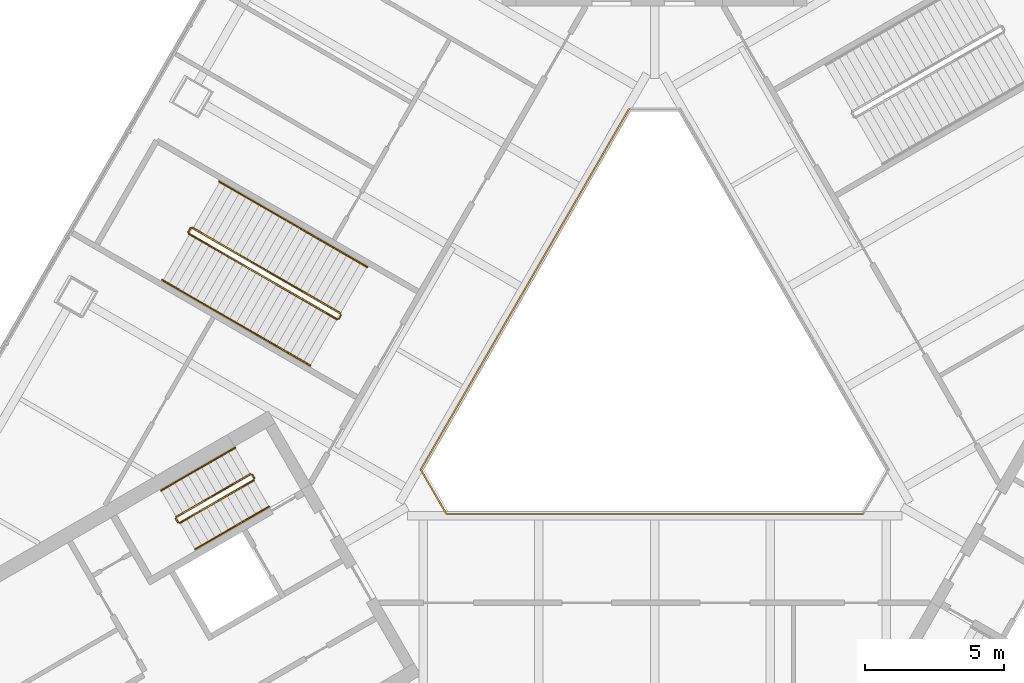
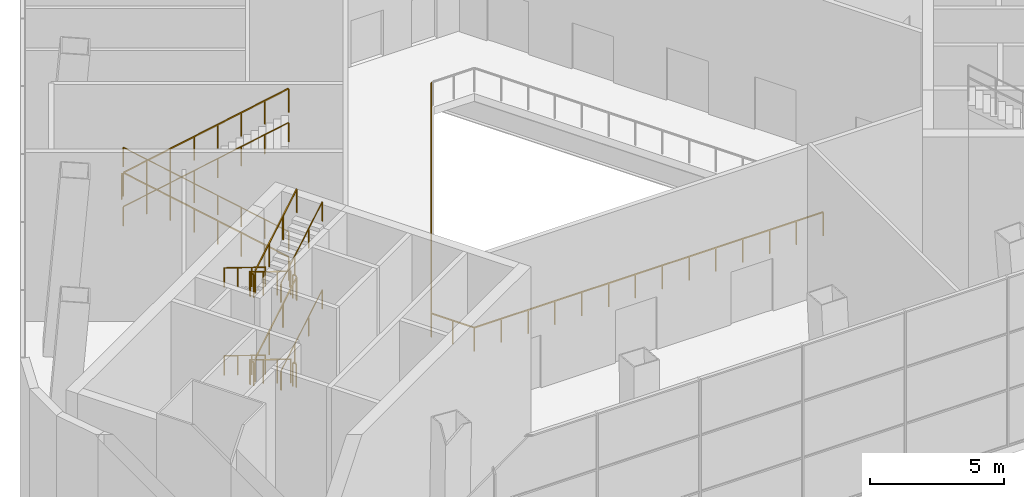
# One storey, part 14 of 16: 19 railings.
"""IFC4 building model written with IfcOpenShell, lengths in metres."""

from ifc_helpers import new_model, si_unit, direction, frame, origin, origin_2d, place, context, subcontext, project, spatial, rectangle, circle, extrude, material, type_object, element, save


model = new_model("IFC4")

# Units and contexts
model_context = context("Model", 3, precision=1e-05, world=origin(), true_north=direction((0.0, 1.0)))
body_context = subcontext(model_context, "Body", "Model", "MODEL_VIEW")
ifc_project = project(units=[si_unit("LENGTHUNIT", "METRE"), si_unit("AREAUNIT", "SQUARE_METRE"), si_unit("VOLUMEUNIT", "CUBIC_METRE"), si_unit("PLANEANGLEUNIT", "RADIAN"), si_unit("MASSUNIT", "GRAM", prefix="KILO")], contexts=[model_context])

# Site, building, storey
site_placement = place(None, origin())
site = spatial("IfcSite", under=ifc_project, at=site_placement, CompositionType="ELEMENT")
building_placement = place(site_placement, origin())
building = spatial("IfcBuilding", under=site, at=building_placement, Name="Apuvela Tower Hotel", CompositionType="ELEMENT")
storey_placement = place(building_placement, frame((0.0, 0.0, 15.5)))
storey = spatial("IfcBuildingStorey", under=building, at=storey_placement, Name="L02", CompositionType="ELEMENT", Elevation=15.5)

# Railings
ifc_material_1 = material(Name="Steel S275 balustrade", Category="steel")
railing_type_1 = type_object("IfcRailingType", Name="COR-GUARD-1100", PredefinedType="GUARDRAIL", material=ifc_material_1)
railing_1_placement = place(storey_placement, frame((-14.569091796875, -3.9658203125, 0.166748046875)))
element("IfcRailing", 1, at=railing_1_placement, inside=storey, type_object=railing_type_1, Name="L02 ST2 stair guard 1", PredefinedType="GUARDRAIL", context=body_context, shape_type="SweptSolid", body=[
    extrude(rectangle(XDim=0.048095703125, YDim=0.048095703125, at=origin_2d()), frame((0.0, 0.0, 1.076171875), z_axis=(-0.744159446956, -0.429671193721, 0.511477646425), x_axis=(0.500026652407, -0.866010015463, 0.0)), (0.0, 0.0, 1.0), 3.584228515625),
    extrude(rectangle(XDim=0.0419921875, YDim=0.0419921875, at=origin_2d()), origin(), (0.0, 0.0, 1.0), 1.052001953125),
    extrude(rectangle(XDim=0.0419921875, YDim=0.0419921875, at=origin_2d()), frame((-0.88916015625, -0.513427734375, 0.611083984375)), (0.0, 0.0, 1.0), 1.052001953125),
    extrude(rectangle(XDim=0.0419921875, YDim=0.0419921875, at=origin_2d()), frame((-1.778076171875, -1.026611328125, 1.22216796875)), (0.0, 0.0, 1.0), 1.052001953125),
    extrude(rectangle(XDim=0.0419921875, YDim=0.0419921875, at=origin_2d()), frame((-2.667236328125, -1.5400390625, 1.833251953125)), (0.0, 0.0, 1.0), 1.052001953125),
])
railing_2_placement = place(storey_placement, frame((-17.254638671875, -5.57421875, 2.0)))
element("IfcRailing", 2, at=railing_2_placement, inside=storey, type_object=railing_type_1, Name="L02 ST2 stair guard 2", PredefinedType="GUARDRAIL", context=body_context, shape_type="SweptSolid", body=[
    extrude(rectangle(XDim=0.048095703125, YDim=0.048095703125, at=origin_2d()), frame((0.0, 0.0, 1.076171875), z_axis=(0.499816412211, -0.866131372301, 0.0), x_axis=(0.866131372301, 0.499816412211, 0.0)), (0.0, 0.0, 1.0), 0.14990234375),
    extrude(rectangle(XDim=0.0419921875, YDim=0.0419921875, at=origin_2d()), origin(), (0.0, 0.0, 1.0), 1.052001953125),
    extrude(rectangle(XDim=0.0419921875, YDim=0.0419921875, at=origin_2d()), frame((0.074951171875, -0.1298828125, 0.0)), (0.0, 0.0, 1.0), 1.052001953125),
])
railing_3_placement = place(storey_placement, frame((-17.111328125, -5.722412109375, 2.166748046875)))
element("IfcRailing", 3, at=railing_3_placement, inside=storey, type_object=railing_type_1, Name="L02 ST2 stair guard 3", PredefinedType="GUARDRAIL", context=body_context, shape_type="SweptSolid", body=[
    extrude(rectangle(XDim=0.048095703125, YDim=0.048095703125, at=origin_2d()), frame((0.0, 0.0, 1.076171875), z_axis=(0.744159446956, 0.429671193721, 0.511477646425), x_axis=(-0.500026652407, 0.866010015463, 0.0)), (0.0, 0.0, 1.0), 3.584228515625),
    extrude(rectangle(XDim=0.0419921875, YDim=0.0419921875, at=origin_2d()), origin(), (0.0, 0.0, 1.0), 1.052001953125),
    extrude(rectangle(XDim=0.0419921875, YDim=0.0419921875, at=origin_2d()), frame((0.88916015625, 0.513427734375, 0.611083984375)), (0.0, 0.0, 1.0), 1.052001953125),
    extrude(rectangle(XDim=0.0419921875, YDim=0.0419921875, at=origin_2d()), frame((1.778076171875, 1.026611328125, 1.22216796875)), (0.0, 0.0, 1.0), 1.052001953125),
    extrude(rectangle(XDim=0.0419921875, YDim=0.0419921875, at=origin_2d()), frame((2.667236328125, 1.5400390625, 1.833251953125)), (0.0, 0.0, 1.0), 1.052001953125),
])
railing_4_placement = place(storey_placement, frame((-14.500732421875, -3.984130859375, 4.0)))
element("IfcRailing", 4, at=railing_4_placement, inside=storey, type_object=railing_type_1, Name="L02 ST2 stair guard 4", PredefinedType="GUARDRAIL", context=body_context, shape_type="SweptSolid", body=[
    extrude(rectangle(XDim=0.048095703125, YDim=0.048095703125, at=origin_2d()), frame((0.0, 0.0, 1.076171875), z_axis=(0.499816412211, -0.866131372301, 0.0), x_axis=(0.866131372301, 0.499816412211, 0.0)), (0.0, 0.0, 1.0), 0.14990234375),
    extrude(rectangle(XDim=0.0419921875, YDim=0.0419921875, at=origin_2d()), origin(), (0.0, 0.0, 1.0), 1.052001953125),
    extrude(rectangle(XDim=0.0419921875, YDim=0.0419921875, at=origin_2d()), frame((0.074951171875, -0.1298828125, 0.0)), (0.0, 0.0, 1.0), 1.052001953125),
])
railing_5_placement = place(storey_placement, frame((-14.569091796875, -3.9658203125, 4.166748046875)))
element("IfcRailing", 5, at=railing_5_placement, inside=storey, type_object=railing_type_1, Name="L02 ST2 stair guard 5", PredefinedType="GUARDRAIL", context=body_context, shape_type="SweptSolid", body=[
    extrude(rectangle(XDim=0.048095703125, YDim=0.048095703125, at=origin_2d()), frame((0.0, 0.0, 1.076171875), z_axis=(-0.744159446956, -0.429671193721, 0.511477646425), x_axis=(0.500026652407, -0.866010015463, 0.0)), (0.0, 0.0, 1.0), 3.584228515625),
    extrude(rectangle(XDim=0.0419921875, YDim=0.0419921875, at=origin_2d()), origin(), (0.0, 0.0, 1.0), 1.052001953125),
    extrude(rectangle(XDim=0.0419921875, YDim=0.0419921875, at=origin_2d()), frame((-0.88916015625, -0.513427734375, 0.611083984375)), (0.0, 0.0, 1.0), 1.052001953125),
    extrude(rectangle(XDim=0.0419921875, YDim=0.0419921875, at=origin_2d()), frame((-1.778076171875, -1.026611328125, 1.22216796875)), (0.0, 0.0, 1.0), 1.052001953125),
    extrude(rectangle(XDim=0.0419921875, YDim=0.0419921875, at=origin_2d()), frame((-2.667236328125, -1.5400390625, 1.833251953125)), (0.0, 0.0, 1.0), 1.052001953125),
])
railing_6_placement = place(storey_placement, frame((-17.254638671875, -5.57421875, 6.0)))
element("IfcRailing", 6, at=railing_6_placement, inside=storey, type_object=railing_type_1, Name="L02 ST2 stair guard 6", PredefinedType="GUARDRAIL", context=body_context, shape_type="SweptSolid", body=[
    extrude(rectangle(XDim=0.048095703125, YDim=0.048095703125, at=origin_2d()), frame((0.0, 0.0, 1.076171875), z_axis=(0.499816412211, -0.866131372301, 0.0), x_axis=(0.866131372301, 0.499816412211, 0.0)), (0.0, 0.0, 1.0), 0.14990234375),
    extrude(rectangle(XDim=0.0419921875, YDim=0.0419921875, at=origin_2d()), origin(), (0.0, 0.0, 1.0), 1.052001953125),
    extrude(rectangle(XDim=0.0419921875, YDim=0.0419921875, at=origin_2d()), frame((0.074951171875, -0.1298828125, 0.0)), (0.0, 0.0, 1.0), 1.052001953125),
])
railing_7_placement = place(storey_placement, frame((-17.111328125, -5.722412109375, 6.166748046875)))
element("IfcRailing", 7, at=railing_7_placement, inside=storey, type_object=railing_type_1, Name="L02 ST2 stair guard 7", PredefinedType="GUARDRAIL", context=body_context, shape_type="SweptSolid", body=[
    extrude(rectangle(XDim=0.048095703125, YDim=0.048095703125, at=origin_2d()), frame((0.0, 0.0, 1.076171875), z_axis=(0.744159446956, 0.429671193721, 0.511477646425), x_axis=(-0.500026652407, 0.866010015463, 0.0)), (0.0, 0.0, 1.0), 3.584228515625),
    extrude(rectangle(XDim=0.0419921875, YDim=0.0419921875, at=origin_2d()), origin(), (0.0, 0.0, 1.0), 1.052001953125),
    extrude(rectangle(XDim=0.0419921875, YDim=0.0419921875, at=origin_2d()), frame((0.88916015625, 0.513427734375, 0.611083984375)), (0.0, 0.0, 1.0), 1.052001953125),
    extrude(rectangle(XDim=0.0419921875, YDim=0.0419921875, at=origin_2d()), frame((1.778076171875, 1.026611328125, 1.22216796875)), (0.0, 0.0, 1.0), 1.052001953125),
    extrude(rectangle(XDim=0.0419921875, YDim=0.0419921875, at=origin_2d()), frame((2.667236328125, 1.5400390625, 1.833251953125)), (0.0, 0.0, 1.0), 1.052001953125),
])
railing_8_placement = place(storey_placement, frame((-14.500732421875, -3.984130859375, 0.0)))
element("IfcRailing", 8, at=railing_8_placement, inside=storey, type_object=railing_type_1, Name="L02 ST2 stair guard 8", PredefinedType="GUARDRAIL", context=body_context, shape_type="SweptSolid", body=[
    extrude(rectangle(XDim=0.048095703125, YDim=0.048095703125, at=origin_2d()), frame((0.0, 0.0, 1.076171875), z_axis=(0.499816412211, -0.866131372301, 0.0), x_axis=(0.866131372301, 0.499816412211, 0.0)), (0.0, 0.0, 1.0), 0.14990234375),
    extrude(rectangle(XDim=0.0419921875, YDim=0.0419921875, at=origin_2d()), origin(), (0.0, 0.0, 1.0), 1.052001953125),
    extrude(rectangle(XDim=0.0419921875, YDim=0.0419921875, at=origin_2d()), frame((0.074951171875, -0.1298828125, 0.0)), (0.0, 0.0, 1.0), 1.052001953125),
])
ifc_material_2 = material(Name="Stainless steel 316 handrail", Category="steel")
railing_type_2 = type_object("IfcRailingType", Name="COR-HANDRAIL-900", PredefinedType="HANDRAIL", material=ifc_material_2)
railing_9_placement = place(storey_placement, frame((-15.118896484375, -3.01318359375, 0.166748046875)))
element("IfcRailing", 9, at=railing_9_placement, inside=storey, type_object=railing_type_2, Name="L02 ST2 stair handrail 1", PredefinedType="HANDRAIL", context=body_context, shape_type="SweptSolid", body=[
    extrude(circle(Radius=0.02392578125, at=origin_2d()), frame((0.0, 0.0, 0.8759765625), z_axis=(-0.744189839504, -0.429649414936, 0.511451721109), x_axis=(0.499992328818, -0.866029832698, 0.0)), (0.0, 0.0, 1.0), 3.58447265625),
    extrude(rectangle(XDim=0.0419921875, YDim=0.0419921875, at=origin_2d()), origin(), (0.0, 0.0, 1.0), 0.851806640625),
    extrude(rectangle(XDim=0.0419921875, YDim=0.0419921875, at=origin_2d()), frame((-0.88916015625, -0.513427734375, 0.611083984375)), (0.0, 0.0, 1.0), 0.851806640625),
    extrude(rectangle(XDim=0.0419921875, YDim=0.0419921875, at=origin_2d()), frame((-1.7783203125, -1.026611328125, 1.22216796875)), (0.0, 0.0, 1.0), 0.851806640625),
    extrude(rectangle(XDim=0.0419921875, YDim=0.0419921875, at=origin_2d()), frame((-2.66748046875, -1.5400390625, 1.833251953125)), (0.0, 0.0, 1.0), 0.851806640625),
])
railing_10_placement = place(storey_placement, frame((-16.561279296875, -6.675048828125, 2.166748046875)))
element("IfcRailing", 10, at=railing_10_placement, inside=storey, type_object=railing_type_2, Name="L02 ST2 stair handrail 2", PredefinedType="HANDRAIL", context=body_context, shape_type="SweptSolid", body=[
    extrude(circle(Radius=0.02392578125, at=origin_2d()), frame((0.0, 0.0, 0.8759765625), z_axis=(0.744159446956, 0.429671193721, 0.511477646425), x_axis=(-0.500026652407, 0.866010015463, 0.0)), (0.0, 0.0, 1.0), 3.584228515625),
    extrude(rectangle(XDim=0.0419921875, YDim=0.0419921875, at=origin_2d()), origin(), (0.0, 0.0, 1.0), 0.851806640625),
    extrude(rectangle(XDim=0.0419921875, YDim=0.0419921875, at=origin_2d()), frame((0.88916015625, 0.513427734375, 0.611083984375)), (0.0, 0.0, 1.0), 0.851806640625),
    extrude(rectangle(XDim=0.0419921875, YDim=0.0419921875, at=origin_2d()), frame((1.778076171875, 1.026611328125, 1.22216796875)), (0.0, 0.0, 1.0), 0.851806640625),
    extrude(rectangle(XDim=0.0419921875, YDim=0.0419921875, at=origin_2d()), frame((2.667236328125, 1.5400390625, 1.833251953125)), (0.0, 0.0, 1.0), 0.851806640625),
])
railing_11_placement = place(storey_placement, frame((-15.118896484375, -3.01318359375, 4.166748046875)))
element("IfcRailing", 11, at=railing_11_placement, inside=storey, type_object=railing_type_2, Name="L02 ST2 stair handrail 3", PredefinedType="HANDRAIL", context=body_context, shape_type="SweptSolid", body=[
    extrude(circle(Radius=0.02392578125, at=origin_2d()), frame((0.0, 0.0, 0.8759765625), z_axis=(-0.744189839504, -0.429649414936, 0.511451721109), x_axis=(0.499992328818, -0.866029832698, 0.0)), (0.0, 0.0, 1.0), 3.58447265625),
    extrude(rectangle(XDim=0.0419921875, YDim=0.0419921875, at=origin_2d()), origin(), (0.0, 0.0, 1.0), 0.851806640625),
    extrude(rectangle(XDim=0.0419921875, YDim=0.0419921875, at=origin_2d()), frame((-0.88916015625, -0.513427734375, 0.611083984375)), (0.0, 0.0, 1.0), 0.851806640625),
    extrude(rectangle(XDim=0.0419921875, YDim=0.0419921875, at=origin_2d()), frame((-1.7783203125, -1.026611328125, 1.22216796875)), (0.0, 0.0, 1.0), 0.851806640625),
    extrude(rectangle(XDim=0.0419921875, YDim=0.0419921875, at=origin_2d()), frame((-2.66748046875, -1.5400390625, 1.833251953125)), (0.0, 0.0, 1.0), 0.851806640625),
])
railing_12_placement = place(storey_placement, frame((-16.561279296875, -6.675048828125, 6.166748046875)))
element("IfcRailing", 12, at=railing_12_placement, inside=storey, type_object=railing_type_2, Name="L02 ST2 stair handrail 4", PredefinedType="HANDRAIL", context=body_context, shape_type="SweptSolid", body=[
    extrude(circle(Radius=0.02392578125, at=origin_2d()), frame((0.0, 0.0, 0.8759765625), z_axis=(0.744159446956, 0.429671193721, 0.511477646425), x_axis=(-0.500026652407, 0.866010015463, 0.0)), (0.0, 0.0, 1.0), 3.584228515625),
    extrude(rectangle(XDim=0.0419921875, YDim=0.0419921875, at=origin_2d()), origin(), (0.0, 0.0, 1.0), 0.851806640625),
    extrude(rectangle(XDim=0.0419921875, YDim=0.0419921875, at=origin_2d()), frame((0.88916015625, 0.513427734375, 0.611083984375)), (0.0, 0.0, 1.0), 0.851806640625),
    extrude(rectangle(XDim=0.0419921875, YDim=0.0419921875, at=origin_2d()), frame((1.778076171875, 1.026611328125, 1.22216796875)), (0.0, 0.0, 1.0), 0.851806640625),
    extrude(rectangle(XDim=0.0419921875, YDim=0.0419921875, at=origin_2d()), frame((2.667236328125, 1.5400390625, 1.833251953125)), (0.0, 0.0, 1.0), 0.851806640625),
])
ifc_material_3 = material(Name="Stainless steel 316 rail with laminated glass infill", Category="steel")
railing_type_3 = type_object("IfcRailingType", Name="ENV-GUARD-1100", PredefinedType="GUARDRAIL", material=ifc_material_3)
railing_13_placement = place(storey_placement, frame((-0.923828125, 9.199951171875, 0.0)))
element("IfcRailing", 13, at=railing_13_placement, inside=storey, type_object=railing_type_3, Name="Atrium void guard A L02", PredefinedType="GUARDRAIL", context=body_context, shape_type="SweptSolid", body=[
    extrude(rectangle(XDim=0.050048828125, YDim=0.050048828125, at=origin_2d()), frame((0.0, 0.0, 1.0751953125), z_axis=(-0.499990886379, -0.866030665472, 0.0), x_axis=(0.866030665472, -0.499990886379, 0.0)), (0.0, 0.0, 1.0), 15.010986328125),
    extrude(rectangle(XDim=0.050048828125, YDim=0.050048828125, at=origin_2d()), frame((-7.50537109375, -13.0, 1.0751953125), z_axis=(0.499962699187, -0.866046938348, 0.0), x_axis=(0.866046938348, 0.499962699187, 0.0)), (0.0, 0.0, 1.0), 1.847412109375),
    extrude(rectangle(XDim=0.050048828125, YDim=0.050048828125, at=origin_2d()), frame((-6.581787109375, -14.599853515625, 1.0751953125), z_axis=(1.0, 0.0, 0.0), x_axis=(0.0, 1.0, 0.0)), (0.0, 0.0, 1.0), 15.01123046875),
    extrude(rectangle(XDim=0.0400390625, YDim=0.0400390625, at=origin_2d()), origin(), (0.0, 0.0, 1.0), 1.050048828125),
    extrude(rectangle(XDim=0.0400390625, YDim=0.0400390625, at=origin_2d()), frame((-0.577392578125, -1.0, 0.0)), (0.0, 0.0, 1.0), 1.050048828125),
    extrude(rectangle(XDim=0.0400390625, YDim=0.0400390625, at=origin_2d()), frame((-1.15478515625, -2.0, 0.0)), (0.0, 0.0, 1.0), 1.050048828125),
    extrude(rectangle(XDim=0.0400390625, YDim=0.0400390625, at=origin_2d()), frame((-1.73193359375, -3.0, 0.0)), (0.0, 0.0, 1.0), 1.050048828125),
    extrude(rectangle(XDim=0.0400390625, YDim=0.0400390625, at=origin_2d()), frame((-2.309326171875, -4.0, 0.0)), (0.0, 0.0, 1.0), 1.050048828125),
    extrude(rectangle(XDim=0.0400390625, YDim=0.0400390625, at=origin_2d()), frame((-2.88671875, -5.0, 0.0)), (0.0, 0.0, 1.0), 1.050048828125),
    extrude(rectangle(XDim=0.0400390625, YDim=0.0400390625, at=origin_2d()), frame((-3.464111328125, -6.0, 0.0)), (0.0, 0.0, 1.0), 1.050048828125),
    extrude(rectangle(XDim=0.0400390625, YDim=0.0400390625, at=origin_2d()), frame((-4.041259765625, -7.0, 0.0)), (0.0, 0.0, 1.0), 1.050048828125),
    extrude(rectangle(XDim=0.0400390625, YDim=0.0400390625, at=origin_2d()), frame((-4.61865234375, -8.0, 0.0)), (0.0, 0.0, 1.0), 1.050048828125),
    extrude(rectangle(XDim=0.0400390625, YDim=0.0400390625, at=origin_2d()), frame((-5.196044921875, -9.0, 0.0)), (0.0, 0.0, 1.0), 1.050048828125),
    extrude(rectangle(XDim=0.0400390625, YDim=0.0400390625, at=origin_2d()), frame((-5.7734375, -10.0, 0.0)), (0.0, 0.0, 1.0), 1.050048828125),
    extrude(rectangle(XDim=0.0400390625, YDim=0.0400390625, at=origin_2d()), frame((-6.3505859375, -11.0, 0.0)), (0.0, 0.0, 1.0), 1.050048828125),
    extrude(rectangle(XDim=0.0400390625, YDim=0.0400390625, at=origin_2d()), frame((-6.927978515625, -12.0, 0.0)), (0.0, 0.0, 1.0), 1.050048828125),
    extrude(rectangle(XDim=0.0400390625, YDim=0.0400390625, at=origin_2d()), frame((-7.50537109375, -13.0, 0.0)), (0.0, 0.0, 1.0), 1.050048828125),
    extrude(rectangle(XDim=0.0400390625, YDim=0.0400390625, at=origin_2d()), frame((-7.04345703125, -13.7998046875, 0.0)), (0.0, 0.0, 1.0), 1.050048828125),
    extrude(rectangle(XDim=0.0400390625, YDim=0.0400390625, at=origin_2d()), frame((-6.581787109375, -14.599853515625, 0.0)), (0.0, 0.0, 1.0), 1.050048828125),
    extrude(rectangle(XDim=0.0400390625, YDim=0.0400390625, at=origin_2d()), frame((-5.427001953125, -14.599853515625, 0.0)), (0.0, 0.0, 1.0), 1.050048828125),
    extrude(rectangle(XDim=0.0400390625, YDim=0.0400390625, at=origin_2d()), frame((-4.2724609375, -14.599853515625, 0.0)), (0.0, 0.0, 1.0), 1.050048828125),
    extrude(rectangle(XDim=0.0400390625, YDim=0.0400390625, at=origin_2d()), frame((-3.11767578125, -14.599853515625, 0.0)), (0.0, 0.0, 1.0), 1.050048828125),
    extrude(rectangle(XDim=0.0400390625, YDim=0.0400390625, at=origin_2d()), frame((-1.962890625, -14.599853515625, 0.0)), (0.0, 0.0, 1.0), 1.050048828125),
    extrude(rectangle(XDim=0.0400390625, YDim=0.0400390625, at=origin_2d()), frame((-0.808349609375, -14.599853515625, 0.0)), (0.0, 0.0, 1.0), 1.050048828125),
    extrude(rectangle(XDim=0.0400390625, YDim=0.0400390625, at=origin_2d()), frame((0.346435546875, -14.599853515625, 0.0)), (0.0, 0.0, 1.0), 1.050048828125),
    extrude(rectangle(XDim=0.0400390625, YDim=0.0400390625, at=origin_2d()), frame((1.501220703125, -14.599853515625, 0.0)), (0.0, 0.0, 1.0), 1.050048828125),
    extrude(rectangle(XDim=0.0400390625, YDim=0.0400390625, at=origin_2d()), frame((2.656005859375, -14.599853515625, 0.0)), (0.0, 0.0, 1.0), 1.050048828125),
    extrude(rectangle(XDim=0.0400390625, YDim=0.0400390625, at=origin_2d()), frame((3.810546875, -14.599853515625, 0.0)), (0.0, 0.0, 1.0), 1.050048828125),
    extrude(rectangle(XDim=0.0400390625, YDim=0.0400390625, at=origin_2d()), frame((4.96533203125, -14.599853515625, 0.0)), (0.0, 0.0, 1.0), 1.050048828125),
    extrude(rectangle(XDim=0.0400390625, YDim=0.0400390625, at=origin_2d()), frame((6.1201171875, -14.599853515625, 0.0)), (0.0, 0.0, 1.0), 1.050048828125),
    extrude(rectangle(XDim=0.0400390625, YDim=0.0400390625, at=origin_2d()), frame((7.274658203125, -14.599853515625, 0.0)), (0.0, 0.0, 1.0), 1.050048828125),
    extrude(rectangle(XDim=0.0400390625, YDim=0.0400390625, at=origin_2d()), frame((8.429443359375, -14.599853515625, 0.0)), (0.0, 0.0, 1.0), 1.050048828125),
])
ifc_material_4 = material(Name="Steel S355 guard with laminated glass infill", Category="steel")
railing_type_4 = type_object("IfcRailingType", Name="SPC-GUARD-1100", PredefinedType="GUARDRAIL", material=ifc_material_4)
railing_14_placement = place(storey_placement, frame((-11.32568359375, 1.83349609375, 0.173828125)))
element("IfcRailing", 14, at=railing_14_placement, inside=storey, type_object=railing_type_4, Name="L02 PS2 stair guard 1", PredefinedType="GUARDRAIL", context=body_context, shape_type="SweptSolid", body=[
    extrude(rectangle(XDim=0.048095703125, YDim=0.048095703125, at=origin_2d()), frame((0.0, 0.0, 1.076171875), z_axis=(-0.735671360837, 0.42471713958, 0.527639081371), x_axis=(-0.49997976489, -0.866037086216, 0.0)), (0.0, 0.0, 1.0), 7.25146484375),
    extrude(rectangle(XDim=0.0419921875, YDim=0.0419921875, at=origin_2d()), origin(), (0.0, 0.0, 1.0), 1.052001953125),
    extrude(rectangle(XDim=0.0419921875, YDim=0.0419921875, at=origin_2d()), frame((-0.76220703125, 0.43994140625, 0.546630859375)), (0.0, 0.0, 1.0), 1.052001953125),
    extrude(rectangle(XDim=0.0419921875, YDim=0.0419921875, at=origin_2d()), frame((-1.524169921875, 0.8798828125, 1.09326171875)), (0.0, 0.0, 1.0), 1.052001953125),
    extrude(rectangle(XDim=0.0419921875, YDim=0.0419921875, at=origin_2d()), frame((-2.286376953125, 1.31982421875, 1.639892578125)), (0.0, 0.0, 1.0), 1.052001953125),
    extrude(rectangle(XDim=0.0419921875, YDim=0.0419921875, at=origin_2d()), frame((-3.04833984375, 1.760009765625, 2.186279296875)), (0.0, 0.0, 1.0), 1.052001953125),
    extrude(rectangle(XDim=0.0419921875, YDim=0.0419921875, at=origin_2d()), frame((-3.810546875, 2.199951171875, 2.73291015625)), (0.0, 0.0, 1.0), 1.052001953125),
    extrude(rectangle(XDim=0.0419921875, YDim=0.0419921875, at=origin_2d()), frame((-4.572509765625, 2.639892578125, 3.279541015625)), (0.0, 0.0, 1.0), 1.052001953125),
    extrude(rectangle(XDim=0.0419921875, YDim=0.0419921875, at=origin_2d()), frame((-5.334716796875, 3.079833984375, 3.826171875)), (0.0, 0.0, 1.0), 1.052001953125),
])
railing_15_placement = place(storey_placement, frame((-16.728759765625, 4.895263671875, 4.0)))
element("IfcRailing", 15, at=railing_15_placement, inside=storey, type_object=railing_type_4, Name="L02 PS2 stair guard 2", PredefinedType="GUARDRAIL", context=body_context, shape_type="SweptSolid", body=[
    extrude(rectangle(XDim=0.048095703125, YDim=0.048095703125, at=origin_2d()), frame((0.0, 0.0, 1.076171875), z_axis=(-0.499112439033, -0.866537231285, 0.0), x_axis=(0.866537231285, -0.499112439033, 0.0)), (0.0, 0.0, 1.0), 0.150146484375),
    extrude(rectangle(XDim=0.0419921875, YDim=0.0419921875, at=origin_2d()), origin(), (0.0, 0.0, 1.0), 1.052001953125),
    extrude(rectangle(XDim=0.0419921875, YDim=0.0419921875, at=origin_2d()), frame((-0.074951171875, -0.130126953125, 0.0)), (0.0, 0.0, 1.0), 1.052001953125),
])
railing_16_placement = place(storey_placement, frame((-16.785400390625, 4.697021484375, 4.173828125)))
element("IfcRailing", 16, at=railing_16_placement, inside=storey, type_object=railing_type_4, Name="L02 PS2 stair guard 3", PredefinedType="GUARDRAIL", context=body_context, shape_type="SweptSolid", body=[
    extrude(rectangle(XDim=0.048095703125, YDim=0.048095703125, at=origin_2d()), frame((0.0, 0.0, 1.076171875), z_axis=(0.73566084112, -0.424744733494, 0.527631536407), x_axis=(0.500009490121, 0.866019924591, 0.0)), (0.0, 0.0, 1.0), 7.251708984375),
    extrude(rectangle(XDim=0.0419921875, YDim=0.0419921875, at=origin_2d()), origin(), (0.0, 0.0, 1.0), 1.052001953125),
    extrude(rectangle(XDim=0.0419921875, YDim=0.0419921875, at=origin_2d()), frame((0.76220703125, -0.43994140625, 0.546630859375)), (0.0, 0.0, 1.0), 1.052001953125),
    extrude(rectangle(XDim=0.0419921875, YDim=0.0419921875, at=origin_2d()), frame((1.524169921875, -0.880126953125, 1.09326171875)), (0.0, 0.0, 1.0), 1.052001953125),
    extrude(rectangle(XDim=0.0419921875, YDim=0.0419921875, at=origin_2d()), frame((2.286376953125, -1.320068359375, 1.639892578125)), (0.0, 0.0, 1.0), 1.052001953125),
    extrude(rectangle(XDim=0.0419921875, YDim=0.0419921875, at=origin_2d()), frame((3.04833984375, -1.760009765625, 2.186279296875)), (0.0, 0.0, 1.0), 1.052001953125),
    extrude(rectangle(XDim=0.0419921875, YDim=0.0419921875, at=origin_2d()), frame((3.810546875, -2.199951171875, 2.73291015625)), (0.0, 0.0, 1.0), 1.052001953125),
    extrude(rectangle(XDim=0.0419921875, YDim=0.0419921875, at=origin_2d()), frame((4.572509765625, -2.64013671875, 3.279541015625)), (0.0, 0.0, 1.0), 1.052001953125),
    extrude(rectangle(XDim=0.0419921875, YDim=0.0419921875, at=origin_2d()), frame((5.334716796875, -3.080078125, 3.826171875)), (0.0, 0.0, 1.0), 1.052001953125),
])
railing_17_placement = place(storey_placement, frame((-11.307373046875, 1.76513671875, 0.0)))
element("IfcRailing", 17, at=railing_17_placement, inside=storey, type_object=railing_type_4, Name="L02 PS2 stair guard 4", PredefinedType="GUARDRAIL", context=body_context, shape_type="SweptSolid", body=[
    extrude(rectangle(XDim=0.048095703125, YDim=0.048095703125, at=origin_2d()), frame((0.0, 0.0, 1.076171875), z_axis=(-0.499816412211, -0.866131372301, 0.0), x_axis=(0.866131372301, -0.499816412211, 0.0)), (0.0, 0.0, 1.0), 0.14990234375),
    extrude(rectangle(XDim=0.0419921875, YDim=0.0419921875, at=origin_2d()), origin(), (0.0, 0.0, 1.0), 1.052001953125),
    extrude(rectangle(XDim=0.0419921875, YDim=0.0419921875, at=origin_2d()), frame((-0.074951171875, -0.1298828125, 0.0)), (0.0, 0.0, 1.0), 1.052001953125),
])
ifc_material_5 = material(Name="Steel S355 tube handrail", Category="steel")
railing_type_5 = type_object("IfcRailingType", Name="SPC-HANDRAIL-900", PredefinedType="HANDRAIL", material=ifc_material_5)
railing_18_placement = place(storey_placement, frame((-10.363037109375, 3.50048828125, 0.173828125)))
element("IfcRailing", 18, at=railing_18_placement, inside=storey, type_object=railing_type_5, Name="L02 PS2 stair handrail 1", PredefinedType="HANDRAIL", context=body_context, shape_type="SweptSolid", body=[
    extrude(circle(Radius=0.02392578125, at=origin_2d()), frame((0.0, 0.0, 0.8759765625), z_axis=(-0.73566084112, 0.424744733494, 0.527631536407), x_axis=(-0.500009490121, -0.866019924591, 0.0)), (0.0, 0.0, 1.0), 7.251708984375),
    extrude(rectangle(XDim=0.0419921875, YDim=0.0419921875, at=origin_2d()), origin(), (0.0, 0.0, 1.0), 0.851806640625),
    extrude(rectangle(XDim=0.0419921875, YDim=0.0419921875, at=origin_2d()), frame((-0.76220703125, 0.43994140625, 0.546630859375)), (0.0, 0.0, 1.0), 0.851806640625),
    extrude(rectangle(XDim=0.0419921875, YDim=0.0419921875, at=origin_2d()), frame((-1.524169921875, 0.880126953125, 1.09326171875)), (0.0, 0.0, 1.0), 0.851806640625),
    extrude(rectangle(XDim=0.0419921875, YDim=0.0419921875, at=origin_2d()), frame((-2.286376953125, 1.320068359375, 1.639892578125)), (0.0, 0.0, 1.0), 0.851806640625),
    extrude(rectangle(XDim=0.0419921875, YDim=0.0419921875, at=origin_2d()), frame((-3.04833984375, 1.760009765625, 2.186279296875)), (0.0, 0.0, 1.0), 0.851806640625),
    extrude(rectangle(XDim=0.0419921875, YDim=0.0419921875, at=origin_2d()), frame((-3.810546875, 2.199951171875, 2.73291015625)), (0.0, 0.0, 1.0), 0.851806640625),
    extrude(rectangle(XDim=0.0419921875, YDim=0.0419921875, at=origin_2d()), frame((-4.572509765625, 2.64013671875, 3.279541015625)), (0.0, 0.0, 1.0), 0.851806640625),
    extrude(rectangle(XDim=0.0419921875, YDim=0.0419921875, at=origin_2d()), frame((-5.334716796875, 3.080078125, 3.826171875)), (0.0, 0.0, 1.0), 0.851806640625),
])
railing_19_placement = place(storey_placement, frame((-17.747802734375, 3.02978515625, 4.173828125)))
element("IfcRailing", 19, at=railing_19_placement, inside=storey, type_object=railing_type_5, Name="L02 PS2 stair handrail 2", PredefinedType="HANDRAIL", context=body_context, shape_type="SweptSolid", body=[
    extrude(circle(Radius=0.02392578125, at=origin_2d()), frame((0.0, 0.0, 0.8759765625), z_axis=(0.735671360837, -0.42471713958, 0.527639081371), x_axis=(0.49997976489, 0.866037086216, 0.0)), (0.0, 0.0, 1.0), 7.25146484375),
    extrude(rectangle(XDim=0.0419921875, YDim=0.0419921875, at=origin_2d()), origin(), (0.0, 0.0, 1.0), 0.851806640625),
    extrude(rectangle(XDim=0.0419921875, YDim=0.0419921875, at=origin_2d()), frame((0.76220703125, -0.43994140625, 0.546630859375)), (0.0, 0.0, 1.0), 0.851806640625),
    extrude(rectangle(XDim=0.0419921875, YDim=0.0419921875, at=origin_2d()), frame((1.524169921875, -0.8798828125, 1.09326171875)), (0.0, 0.0, 1.0), 0.851806640625),
    extrude(rectangle(XDim=0.0419921875, YDim=0.0419921875, at=origin_2d()), frame((2.286376953125, -1.31982421875, 1.639892578125)), (0.0, 0.0, 1.0), 0.851806640625),
    extrude(rectangle(XDim=0.0419921875, YDim=0.0419921875, at=origin_2d()), frame((3.04833984375, -1.760009765625, 2.186279296875)), (0.0, 0.0, 1.0), 0.851806640625),
    extrude(rectangle(XDim=0.0419921875, YDim=0.0419921875, at=origin_2d()), frame((3.810546875, -2.199951171875, 2.73291015625)), (0.0, 0.0, 1.0), 0.851806640625),
    extrude(rectangle(XDim=0.0419921875, YDim=0.0419921875, at=origin_2d()), frame((4.572509765625, -2.639892578125, 3.279541015625)), (0.0, 0.0, 1.0), 0.851806640625),
    extrude(rectangle(XDim=0.0419921875, YDim=0.0419921875, at=origin_2d()), frame((5.334716796875, -3.079833984375, 3.826171875)), (0.0, 0.0, 1.0), 0.851806640625),
])

save(model, "model.ifc")
